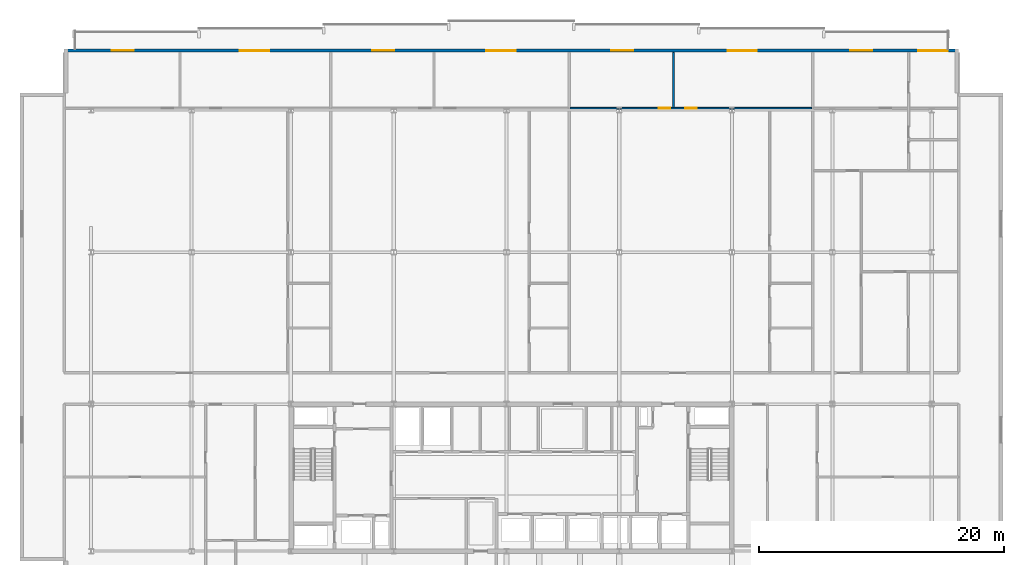
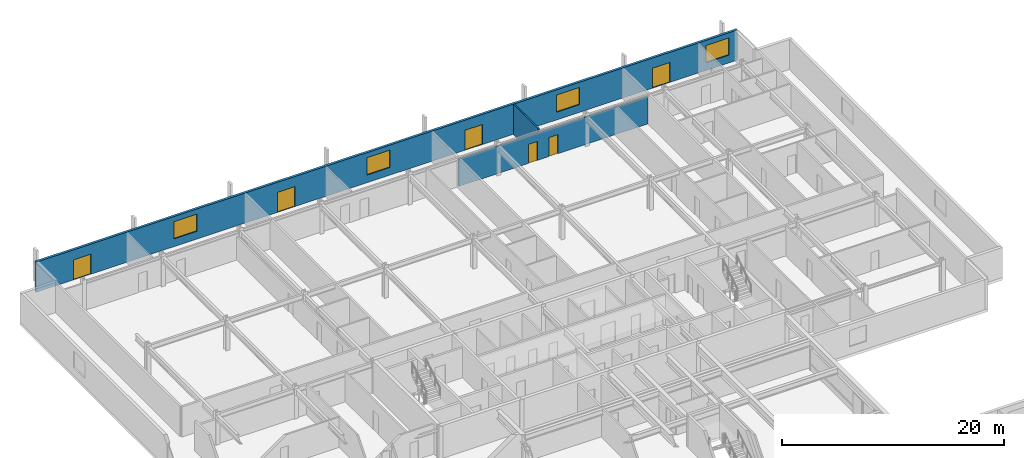
# One storey, part 27 of 35: 6 doors, 4 windows, 3 walls, 10 openings.
"""IFC4 building model written with IfcOpenShell, lengths in metres."""

from ifc_helpers import new_model, si_unit, direction, frame, frame_2d, origin, place, context, subcontext, project, spatial, rectangle, extrude, material, layer, layer_set, type_object, element, fill, save


model = new_model("IFC4")

# Units and contexts
model_context = context("Model", 3, precision=1e-05, world=origin(), true_north=direction((0.0, 1.0)))
body_context = subcontext(model_context, "Body", "Model", "MODEL_VIEW")
ifc_project = project(units=[si_unit("LENGTHUNIT", "METRE"), si_unit("AREAUNIT", "SQUARE_METRE"), si_unit("VOLUMEUNIT", "CUBIC_METRE"), si_unit("PLANEANGLEUNIT", "RADIAN"), si_unit("MASSUNIT", "GRAM", prefix="KILO")], contexts=[model_context])

# Site, building, storey
site_placement = place(None, origin())
site = spatial("IfcSite", under=ifc_project, at=site_placement, CompositionType="ELEMENT")
building_placement = place(site_placement, origin())
building = spatial("IfcBuilding", under=site, at=building_placement, Name="Korimba Cascade Residences", CompositionType="ELEMENT")
storey_placement = place(building_placement, frame((0.0, 0.0, 150.10009765625)))
storey = spatial("IfcBuildingStorey", under=building, at=storey_placement, Name="L43", CompositionType="ELEMENT", Elevation=150.10009765625)

# Wall, openings, doors, windows
ifc_material_1 = material(Name="Precast concrete C40/50", Category="concrete")
ifc_layer_1 = layer(ifc_material_1, 0.25)
ifc_layer_set_1 = layer_set([ifc_layer_1], Name="Precast concrete C40/50")
wall_type_1 = type_object("IfcWallType", Name="EW-LOG-250", PredefinedType="STANDARD", material=ifc_layer_set_1)
wall_1_placement = place(storey_placement, frame((130.60009765625, 96.050048828125, 0.0), z_axis=(0.0, 0.0, 1.0), x_axis=(-1.0, 0.0, 0.0)))
wall_1 = element("IfcWall", 1, at=wall_1_placement, inside=storey, type_object=wall_type_1, Name="L43 T1 Perimeter Stone Wall E06", PredefinedType="STANDARD", context=body_context, shape_type="SweptSolid", body=[
    extrude(rectangle(XDim=73.0, YDim=0.25, at=frame_2d((36.5, 0.0))), origin(), (0.0, 0.0, 1.0), 3.309814453125),
])
opening_1_placement = place(wall_1_placement, frame((67.310791015625, 0.0, 0.0)))
opening_1 = element("IfcOpeningElement", 2, at=opening_1_placement, cuts=wall_1, Name="Opening D-LG1", PredefinedType="OPENING", context=body_context, shape_type="SweptSolid", body=[
    extrude(rectangle(XDim=1.800048828125, YDim=2.199951171875, at=frame_2d((0.89990234375, 1.10009765625))), frame((0.0, 0.135009765625, 0.0), z_axis=(0.0, -1.0, 0.0), x_axis=(1.0, 0.0, 0.0)), (0.0, 0.0, 1.0), 0.27001953125),
])
opening_2_placement = place(wall_1_placement, frame((56.252197265625, 0.0, 0.85009765625)))
opening_2 = element("IfcOpeningElement", 3, at=opening_2_placement, cuts=wall_1, Name="Opening W-01", PredefinedType="OPENING", context=body_context, shape_type="SweptSolid", body=[
    extrude(rectangle(XDim=2.39990234375, YDim=1.89990234375, at=frame_2d((1.199951171875, 0.949951171875))), frame((0.0, 0.135009765625, 0.0), z_axis=(0.0, -1.0, 0.0), x_axis=(1.0, 0.0, 0.0)), (0.0, 0.0, 1.0), 0.27001953125),
])
opening_3_placement = place(wall_1_placement, frame((46.07080078125, 0.0, 0.0)))
opening_3 = element("IfcOpeningElement", 4, at=opening_3_placement, cuts=wall_1, Name="Opening D-LG1", PredefinedType="OPENING", context=body_context, shape_type="SweptSolid", body=[
    extrude(rectangle(XDim=1.800048828125, YDim=2.199951171875, at=frame_2d((0.89990234375, 1.10009765625))), frame((0.0, 0.135009765625, 0.0), z_axis=(0.0, -1.0, 0.0), x_axis=(1.0, 0.0, 0.0)), (0.0, 0.0, 1.0), 0.27001953125),
])
opening_4_placement = place(wall_1_placement, frame((36.1611328125, 0.0, 0.85009765625)))
opening_4 = element("IfcOpeningElement", 5, at=opening_4_placement, cuts=wall_1, Name="Opening W-01", PredefinedType="OPENING", context=body_context, shape_type="SweptSolid", body=[
    extrude(rectangle(XDim=2.39990234375, YDim=1.89990234375, at=frame_2d((1.199951171875, 0.949951171875))), frame((0.0, 0.135009765625, 0.0), z_axis=(0.0, -1.0, 0.0), x_axis=(1.0, 0.0, 0.0)), (0.0, 0.0, 1.0), 0.27001953125),
])
opening_5_placement = place(wall_1_placement, frame((26.568603515625, 0.0, 0.0)))
opening_5 = element("IfcOpeningElement", 6, at=opening_5_placement, cuts=wall_1, Name="Opening D-LG1", PredefinedType="OPENING", context=body_context, shape_type="SweptSolid", body=[
    extrude(rectangle(XDim=1.800048828125, YDim=2.199951171875, at=frame_2d((0.89990234375, 1.10009765625))), frame((0.0, 0.135009765625, 0.0), z_axis=(0.0, -1.0, 0.0), x_axis=(1.0, 0.0, 0.0)), (0.0, 0.0, 1.0), 0.27001953125),
])
opening_6_placement = place(wall_1_placement, frame((16.4580078125, 0.0, 0.85009765625)))
opening_6 = element("IfcOpeningElement", 7, at=opening_6_placement, cuts=wall_1, Name="Opening W-01", PredefinedType="OPENING", context=body_context, shape_type="SweptSolid", body=[
    extrude(rectangle(XDim=2.39990234375, YDim=1.89990234375, at=frame_2d((1.199951171875, 0.949951171875))), frame((0.0, 0.135009765625, 0.0), z_axis=(0.0, -1.0, 0.0), x_axis=(1.0, 0.0, 0.0)), (0.0, 0.0, 1.0), 0.27001953125),
])
opening_7_placement = place(wall_1_placement, frame((7.04150390625, 0.0, 0.0)))
opening_7 = element("IfcOpeningElement", 8, at=opening_7_placement, cuts=wall_1, Name="Opening D-LG1", PredefinedType="OPENING", context=body_context, shape_type="SweptSolid", body=[
    extrude(rectangle(XDim=1.800048828125, YDim=2.199951171875, at=frame_2d((0.89990234375, 1.10009765625))), frame((0.0, 0.135009765625, 0.0), z_axis=(0.0, -1.0, 0.0), x_axis=(1.0, 0.0, 0.0)), (0.0, 0.0, 1.0), 0.27001953125),
])
opening_8_placement = place(wall_1_placement, frame((0.89990234375, 0.0, 0.85009765625)))
opening_8 = element("IfcOpeningElement", 9, at=opening_8_placement, cuts=wall_1, Name="Opening W-01", PredefinedType="OPENING", context=body_context, shape_type="SweptSolid", body=[
    extrude(rectangle(XDim=2.39990234375, YDim=1.89990234375, at=frame_2d((1.199951171875, 0.949951171875))), frame((0.0, 0.135009765625, 0.0), z_axis=(0.0, -1.0, 0.0), x_axis=(1.0, 0.0, 0.0)), (0.0, 0.0, 1.0), 0.27001953125),
])
ifc_material_2 = material(Name="Glazed Aluminium Loggia Sliding Door", Category="aluminium")
door_type_1 = type_object("IfcDoorType", Name="DR-EXT-LOG", OperationType="NOTDEFINED", PredefinedType="DOOR", material=ifc_material_2)
door_1_placement = place(opening_1_placement, origin())
door_1 = element("IfcDoor", 10, at=door_1_placement, inside=storey, type_object=door_type_1, Name="L43 T1 Loggia Sliding Door 3", OperationType="SLIDING_TO_LEFT", OverallHeight=2.199951171875, OverallWidth=1.800048828125, PredefinedType="DOOR", context=body_context, shape_type="SweptSolid", body=[
    extrude(rectangle(XDim=1.800048828125, YDim=2.199951171875, at=frame_2d((0.89990234375, 1.10009765625))), frame((0.0, 0.02490234375, 0.0), z_axis=(0.0, -1.0, 0.0), x_axis=(1.0, 0.0, 0.0)), (0.0, 0.0, 1.0), 0.050048828125),
])
fill(opening_1, door_1)
door_2_placement = place(opening_3_placement, origin())
door_2 = element("IfcDoor", 11, at=door_2_placement, inside=storey, type_object=door_type_1, Name="L43 T1 Loggia Sliding Door 5", OperationType="SLIDING_TO_LEFT", OverallHeight=2.199951171875, OverallWidth=1.800048828125, PredefinedType="DOOR", context=body_context, shape_type="SweptSolid", body=[
    extrude(rectangle(XDim=1.800048828125, YDim=2.199951171875, at=frame_2d((0.89990234375, 1.10009765625))), frame((0.0, 0.02490234375, 0.0), z_axis=(0.0, -1.0, 0.0), x_axis=(1.0, 0.0, 0.0)), (0.0, 0.0, 1.0), 0.050048828125),
])
fill(opening_3, door_2)
door_3_placement = place(opening_5_placement, origin())
door_3 = element("IfcDoor", 12, at=door_3_placement, inside=storey, type_object=door_type_1, Name="L43 T1 Loggia Sliding Door 7", OperationType="SLIDING_TO_LEFT", OverallHeight=2.199951171875, OverallWidth=1.800048828125, PredefinedType="DOOR", context=body_context, shape_type="SweptSolid", body=[
    extrude(rectangle(XDim=1.800048828125, YDim=2.199951171875, at=frame_2d((0.89990234375, 1.10009765625))), frame((0.0, 0.02490234375, 0.0), z_axis=(0.0, -1.0, 0.0), x_axis=(1.0, 0.0, 0.0)), (0.0, 0.0, 1.0), 0.050048828125),
])
fill(opening_5, door_3)
door_4_placement = place(opening_7_placement, origin())
door_4 = element("IfcDoor", 13, at=door_4_placement, inside=storey, type_object=door_type_1, Name="L43 T1 Loggia Sliding Door 9", OperationType="SLIDING_TO_LEFT", OverallHeight=2.199951171875, OverallWidth=1.800048828125, PredefinedType="DOOR", context=body_context, shape_type="SweptSolid", body=[
    extrude(rectangle(XDim=1.800048828125, YDim=2.199951171875, at=frame_2d((0.89990234375, 1.10009765625))), frame((0.0, 0.02490234375, 0.0), z_axis=(0.0, -1.0, 0.0), x_axis=(1.0, 0.0, 0.0)), (0.0, 0.0, 1.0), 0.050048828125),
])
fill(opening_7, door_4)
ifc_material_3 = material(Name="Double-Glazed Aluminium Window", Category="aluminium")
window_type = type_object("IfcWindowType", Name="WIN-RES-2400", PartitioningType="DOUBLE_PANEL_VERTICAL", PredefinedType="WINDOW", material=ifc_material_3)
window_1_placement = place(opening_2_placement, origin())
window_1 = element("IfcWindow", 14, at=window_1_placement, inside=storey, type_object=window_type, Name="L43 T1 North Facade Window 4", OverallHeight=1.89990234375, OverallWidth=2.39990234375, PartitioningType="DOUBLE_PANEL_VERTICAL", PredefinedType="WINDOW", context=body_context, shape_type="SweptSolid", body=[
    extrude(rectangle(XDim=2.39990234375, YDim=1.89990234375, at=frame_2d((1.199951171875, 0.949951171875))), frame((0.0, 0.030029296875, 0.0), z_axis=(0.0, -1.0, 0.0), x_axis=(1.0, 0.0, 0.0)), (0.0, 0.0, 1.0), 0.06005859375),
])
fill(opening_2, window_1)
window_2_placement = place(opening_4_placement, origin())
window_2 = element("IfcWindow", 15, at=window_2_placement, inside=storey, type_object=window_type, Name="L43 T1 North Facade Window 6", OverallHeight=1.89990234375, OverallWidth=2.39990234375, PartitioningType="DOUBLE_PANEL_VERTICAL", PredefinedType="WINDOW", context=body_context, shape_type="SweptSolid", body=[
    extrude(rectangle(XDim=2.39990234375, YDim=1.89990234375, at=frame_2d((1.199951171875, 0.949951171875))), frame((0.0, 0.030029296875, 0.0), z_axis=(0.0, -1.0, 0.0), x_axis=(1.0, 0.0, 0.0)), (0.0, 0.0, 1.0), 0.06005859375),
])
fill(opening_4, window_2)
window_3_placement = place(opening_6_placement, origin())
window_3 = element("IfcWindow", 16, at=window_3_placement, inside=storey, type_object=window_type, Name="L43 T1 North Facade Window 8", OverallHeight=1.89990234375, OverallWidth=2.39990234375, PartitioningType="DOUBLE_PANEL_VERTICAL", PredefinedType="WINDOW", context=body_context, shape_type="SweptSolid", body=[
    extrude(rectangle(XDim=2.39990234375, YDim=1.89990234375, at=frame_2d((1.199951171875, 0.949951171875))), frame((0.0, 0.030029296875, 0.0), z_axis=(0.0, -1.0, 0.0), x_axis=(1.0, 0.0, 0.0)), (0.0, 0.0, 1.0), 0.06005859375),
])
fill(opening_6, window_3)
window_4_placement = place(opening_8_placement, origin())
window_4 = element("IfcWindow", 17, at=window_4_placement, inside=storey, type_object=window_type, Name="L43 T1 North Facade Window 10", OverallHeight=1.89990234375, OverallWidth=2.39990234375, PartitioningType="DOUBLE_PANEL_VERTICAL", PredefinedType="WINDOW", context=body_context, shape_type="SweptSolid", body=[
    extrude(rectangle(XDim=2.39990234375, YDim=1.89990234375, at=frame_2d((1.199951171875, 0.949951171875))), frame((0.0, 0.030029296875, 0.0), z_axis=(0.0, -1.0, 0.0), x_axis=(1.0, 0.0, 0.0)), (0.0, 0.0, 1.0), 0.06005859375),
])
fill(opening_8, window_4)

# Wall
ifc_material_4 = material(Name="Insulated Acoustic Stud Partition", Category="gypsum")
ifc_layer_2 = layer(ifc_material_4, 0.14990234375)
ifc_layer_set_2 = layer_set([ifc_layer_2], Name="Insulated Acoustic Stud Partition")
wall_type_2 = type_object("IfcWallType", Name="WAL-PART-150", PredefinedType="PARTITIONING", material=ifc_layer_set_2)
wall_2_placement = place(storey_placement, frame((107.32666015625, 91.429931640625, 0.0), z_axis=(0.0, 0.0, 1.0), x_axis=(0.0, 1.0, 0.0)))
element("IfcWall", 18, at=wall_2_placement, inside=storey, type_object=wall_type_2, Name="L43 Partition Wall WAL-L43-T1-U03-OUTV", PredefinedType="PARTITIONING", context=body_context, shape_type="SweptSolid", body=[
    extrude(rectangle(XDim=4.469970703125, YDim=0.14990234375, at=frame_2d((2.23486328125, 0.0))), origin(), (0.0, 0.0, 1.0), 3.309814453125),
])

# Wall, openings, doors
wall_3_placement = place(storey_placement, frame((98.896240234375, 91.35009765625, 0.0), z_axis=(0.0, 0.0, 1.0), x_axis=(1.0, 0.0, 0.0)))
wall_3 = element("IfcWall", 19, at=wall_3_placement, inside=storey, type_object=wall_type_2, Name="L43 Partition Wall WAL-L43-T1-U03-HZ", PredefinedType="PARTITIONING", context=body_context, shape_type="SweptSolid", body=[
    extrude(rectangle(XDim=19.700927734375, YDim=0.14990234375, at=frame_2d((9.8505859375, 0.0))), origin(), (0.0, 0.0, 1.0), 3.00341796875),
])
opening_9_placement = place(wall_3_placement, frame((7.240478515625, 0.0, 0.0)))
opening_9 = element("IfcOpeningElement", 20, at=opening_9_placement, cuts=wall_3, Name="Opening D-IN0", PredefinedType="OPENING", context=body_context, shape_type="SweptSolid", body=[
    extrude(rectangle(XDim=0.93994140625, YDim=2.10009765625, at=frame_2d((0.469970703125, 1.050048828125))), frame((0.0, 0.0849609375, 0.0), z_axis=(0.0, -1.0, 0.0), x_axis=(1.0, 0.0, 0.0)), (0.0, 0.0, 1.0), 0.169921875),
])
opening_10_placement = place(wall_3_placement, frame((9.380615234375, 0.0, 0.0)))
opening_10 = element("IfcOpeningElement", 21, at=opening_10_placement, cuts=wall_3, Name="Opening D-IN0", PredefinedType="OPENING", context=body_context, shape_type="SweptSolid", body=[
    extrude(rectangle(XDim=0.93994140625, YDim=2.10009765625, at=frame_2d((0.469970703125, 1.050048828125))), frame((0.0, 0.0849609375, 0.0), z_axis=(0.0, -1.0, 0.0), x_axis=(1.0, 0.0, 0.0)), (0.0, 0.0, 1.0), 0.169921875),
])
ifc_material_5 = material(Name="Acoustic Timber Living Archway Door", Category="wood")
door_type_2 = type_object("IfcDoorType", Name="DR-INT-950", OperationType="NOTDEFINED", PredefinedType="DOOR", material=ifc_material_5)
door_5_placement = place(opening_9_placement, origin())
door_5 = element("IfcDoor", 22, at=door_5_placement, inside=storey, type_object=door_type_2, Name="L43-T1-U03 Resident Boardroom Door", OperationType="SINGLE_SWING_LEFT", OverallHeight=2.10009765625, OverallWidth=0.93994140625, PredefinedType="DOOR", context=body_context, shape_type="SweptSolid", body=[
    extrude(rectangle(XDim=0.93994140625, YDim=2.10009765625, at=frame_2d((0.469970703125, 1.050048828125))), frame((0.0, 0.02490234375, 0.0), z_axis=(0.0, -1.0, 0.0), x_axis=(1.0, 0.0, 0.0)), (0.0, 0.0, 1.0), 0.050048828125),
])
fill(opening_9, door_5)
door_6_placement = place(opening_10_placement, origin())
door_6 = element("IfcDoor", 23, at=door_6_placement, inside=storey, type_object=door_type_2, Name="L43-T1-U03 Executive Seminar Room Door", OperationType="SINGLE_SWING_RIGHT", OverallHeight=2.10009765625, OverallWidth=0.93994140625, PredefinedType="DOOR", context=body_context, shape_type="SweptSolid", body=[
    extrude(rectangle(XDim=0.93994140625, YDim=2.10009765625, at=frame_2d((0.469970703125, 1.050048828125))), frame((0.0, 0.02490234375, 0.0), z_axis=(0.0, -1.0, 0.0), x_axis=(1.0, 0.0, 0.0)), (0.0, 0.0, 1.0), 0.050048828125),
])
fill(opening_10, door_6)

save(model, "model.ifc")
